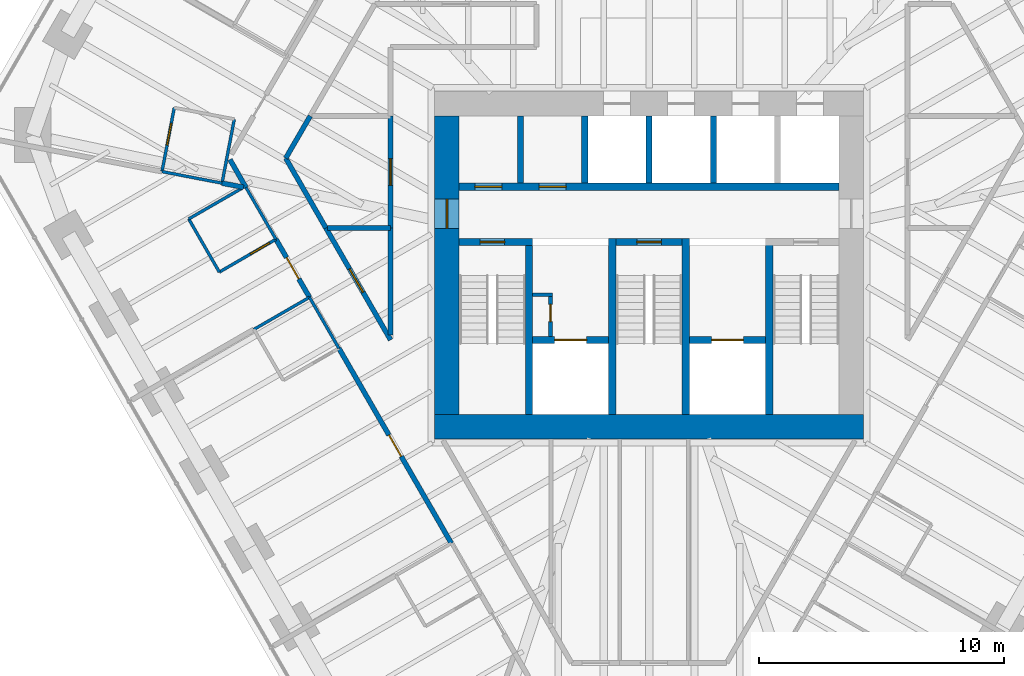
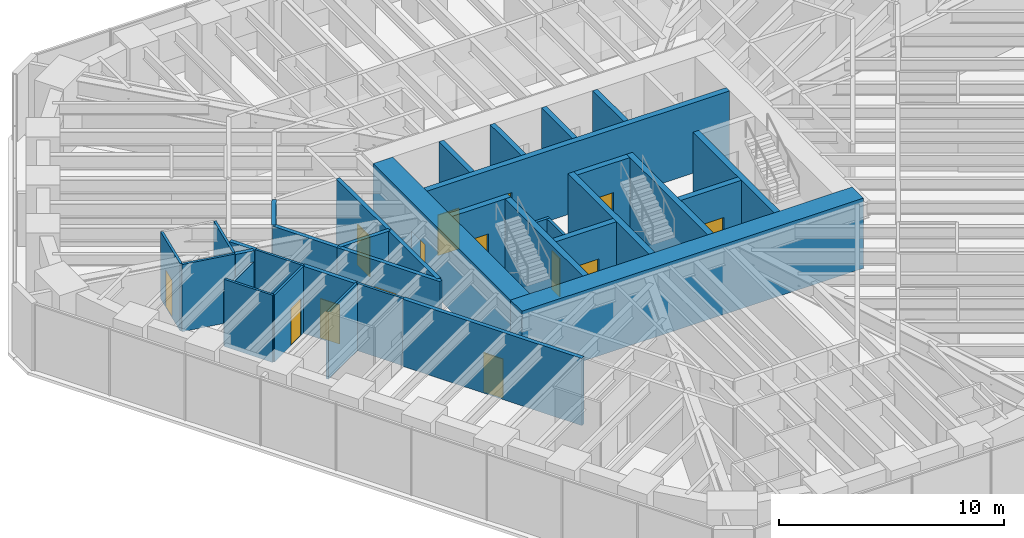
# One storey, part 12 of 17: 36 walls, 14 doors, 14 openings.
"""IFC4 building model written with IfcOpenShell, lengths in metres."""

from ifc_helpers import new_model, si_unit, direction, frame, frame_2d, origin, place, context, subcontext, project, spatial, rectangle, extrude, material, layer, layer_set, type_object, element, fill, save


model = new_model("IFC4")

# Units and contexts
model_context = context("Model", 3, precision=1e-05, world=origin(), true_north=direction((0.0, 1.0)))
body_context = subcontext(model_context, "Body", "Model", "MODEL_VIEW")
ifc_project = project(units=[si_unit("LENGTHUNIT", "METRE"), si_unit("AREAUNIT", "SQUARE_METRE"), si_unit("VOLUMEUNIT", "CUBIC_METRE"), si_unit("PLANEANGLEUNIT", "RADIAN"), si_unit("MASSUNIT", "GRAM", prefix="KILO")], contexts=[model_context])

# Site, building, storey
site_placement = place(None, origin())
site = spatial("IfcSite", under=ifc_project, at=site_placement, CompositionType="ELEMENT")
building_placement = place(site_placement, origin())
building = spatial("IfcBuilding", under=site, at=building_placement, Name="Sandreach Pilgrim Tower", CompositionType="ELEMENT")
storey_placement = place(building_placement, frame((0.0, 0.0, 221.199951171875)))
storey = spatial("IfcBuildingStorey", under=building, at=storey_placement, Name="L55", CompositionType="ELEMENT", Elevation=221.199951171875)

# Wall
ifc_material_1 = material(Name="Moisture-resistant gypsum board on steel studs", Category="steel")
ifc_layer_1 = layer(ifc_material_1, 0.1201171875)
ifc_layer_set_1 = layer_set([ifc_layer_1], Name="Bathroom partition 120")
wall_type_1 = type_object("IfcWallType", Name="Bathroom partition 120", PredefinedType="PARTITIONING", material=ifc_layer_set_1)
wall_1_placement = place(storey_placement, frame((-19.88134765625, 3.82275390625, 0.0), z_axis=(0.0, 0.0, 1.0), x_axis=(0.981896775229, -0.189416796496, 0.0)))
element("IfcWall", 1, at=wall_1_placement, inside=storey, type_object=wall_type_1, Name="Bathroom partition L55-003", PredefinedType="PARTITIONING", context=body_context, shape_type="SweptSolid", body=[
    extrude(rectangle(XDim=2.49658203125, YDim=0.1201171875, at=frame_2d((1.248291015625, 0.0))), origin(), (0.0, 0.0, 1.0), 3.64013671875),
])

# Wall, opening, door
wall_2_placement = place(storey_placement, frame((-19.3798828125, 6.429931640625, 0.0), z_axis=(0.0, 0.0, 1.0), x_axis=(-0.18885765444, -0.982004473696, 0.0)))
wall_2 = element("IfcWall", 2, at=wall_2_placement, inside=storey, type_object=wall_type_1, Name="Bathroom partition L55-004", PredefinedType="PARTITIONING", context=body_context, shape_type="SweptSolid", body=[
    extrude(rectangle(XDim=2.6474609375, YDim=0.1201171875, at=frame_2d((1.32373046875, 0.0))), origin(), (0.0, 0.0, 1.0), 3.64013671875),
])
opening_1_placement = place(wall_2_placement, frame((0.64990234375, 0.0, 0.0)))
opening_1 = element("IfcOpeningElement", 3, at=opening_1_placement, cuts=wall_2, Name="Opening D09-18B", PredefinedType="OPENING", context=body_context, shape_type="SweptSolid", body=[
    extrude(rectangle(XDim=0.89990234375, YDim=2.030029296875, at=frame_2d((0.449951171875, 1.01513671875))), frame((0.0, 0.06005859375, 0.0), z_axis=(0.0, -1.0, 0.0), x_axis=(1.0, 0.0, 0.0)), (0.0, 0.0, 1.0), 0.1201171875),
])
ifc_material_2 = material(Name="Timber door, steel frame", Category="steel")
door_type_1 = type_object("IfcDoorType", Name="Bathroom door", OperationType="SINGLE_SWING_LEFT", PredefinedType="DOOR", material=ifc_material_2)
door_1_placement = place(opening_1_placement, origin())
door_1 = element("IfcDoor", 4, at=door_1_placement, inside=storey, type_object=door_type_1, Name="Door 5518B", OperationType="SINGLE_SWING_LEFT", OverallHeight=2.030029296875, OverallWidth=0.89990234375, PredefinedType="DOOR", context=body_context, shape_type="SweptSolid", body=[
    extrude(rectangle(XDim=0.89990234375, YDim=2.030029296875, at=frame_2d((0.449951171875, 1.01513671875))), frame((0.0, 0.02490234375, 0.0), z_axis=(0.0, -1.0, 0.0), x_axis=(1.0, 0.0, 0.0)), (0.0, 0.0, 1.0), 0.050048828125),
])
fill(opening_1, door_1)

# Wall
wall_3_placement = place(storey_placement, frame((-18.7900390625, 1.889892578125, 0.0), z_axis=(0.0, 0.0, 1.0), x_axis=(0.499159685399, -0.866510016372, 0.0)))
element("IfcWall", 5, at=wall_3_placement, inside=storey, type_object=wall_type_1, Name="Bathroom partition L55-005", PredefinedType="PARTITIONING", context=body_context, shape_type="SweptSolid", body=[
    extrude(rectangle(XDim=2.504150390625, YDim=0.1201171875, at=frame_2d((1.251953125, 0.0))), origin(), (0.0, 0.0, 1.0), 3.64013671875),
])

# Wall, opening, door
wall_4_placement = place(storey_placement, frame((-17.5400390625, -0.280029296875, 0.0), z_axis=(0.0, 0.0, 1.0), x_axis=(0.86498992408, 0.501789229896, 0.0)))
wall_4 = element("IfcWall", 6, at=wall_4_placement, inside=storey, type_object=wall_type_1, Name="Bathroom partition L55-006", PredefinedType="PARTITIONING", context=body_context, shape_type="SweptSolid", body=[
    extrude(rectangle(XDim=2.670654296875, YDim=0.1201171875, at=frame_2d((1.33544921875, 0.0))), origin(), (0.0, 0.0, 1.0), 3.64013671875),
])
opening_2_placement = place(wall_4_placement, frame((1.470458984375, 0.0, 0.0)))
opening_2 = element("IfcOpeningElement", 7, at=opening_2_placement, cuts=wall_4, Name="Opening D09-17B", PredefinedType="OPENING", context=body_context, shape_type="SweptSolid", body=[
    extrude(rectangle(XDim=0.89990234375, YDim=2.030029296875, at=frame_2d((0.449951171875, 1.01513671875))), frame((0.0, 0.06005859375, 0.0), z_axis=(0.0, -1.0, 0.0), x_axis=(1.0, 0.0, 0.0)), (0.0, 0.0, 1.0), 0.1201171875),
])
door_2_placement = place(opening_2_placement, origin())
door_2 = element("IfcDoor", 8, at=door_2_placement, inside=storey, type_object=door_type_1, Name="Door 5517B", OperationType="SINGLE_SWING_RIGHT", OverallHeight=2.030029296875, OverallWidth=0.89990234375, PredefinedType="DOOR", context=body_context, shape_type="SweptSolid", body=[
    extrude(rectangle(XDim=0.89990234375, YDim=2.030029296875, at=frame_2d((0.449951171875, 1.01513671875))), frame((0.0, 0.02490234375, 0.0), z_axis=(0.0, -1.0, 0.0), x_axis=(1.0, 0.0, 0.0)), (0.0, 0.0, 1.0), 0.050048828125),
])
fill(opening_2, door_2)

# Walls
wall_5_placement = place(storey_placement, frame((-17.429931640625, 3.35009765625, 0.0), z_axis=(0.0, 0.0, 1.0), x_axis=(0.188159009227, 0.982138578433, 0.0)))
element("IfcWall", 9, at=wall_5_placement, inside=storey, type_object=wall_type_1, Name="Bathroom partition L55-007", PredefinedType="PARTITIONING", context=body_context, shape_type="SweptSolid", body=[
    extrude(rectangle(XDim=2.6572265625, YDim=0.1201171875, at=frame_2d((1.32861328125, 0.0))), origin(), (0.0, 0.0, 1.0), 3.64013671875),
])
wall_6_placement = place(storey_placement, frame((-16.623779296875, 3.1376953125, 0.0), z_axis=(0.0, 0.0, 1.0), x_axis=(-0.866525185869, -0.499133351175, 0.0)))
element("IfcWall", 10, at=wall_6_placement, inside=storey, type_object=wall_type_1, Name="Bathroom partition L55-013", PredefinedType="PARTITIONING", context=body_context, shape_type="SweptSolid", body=[
    extrude(rectangle(XDim=2.5, YDim=0.1201171875, at=frame_2d((1.25, 0.0))), origin(), (0.0, 0.0, 1.0), 3.0380859375),
])
wall_7_placement = place(storey_placement, frame((-16.449951171875, 3.169921875, 0.0), z_axis=(0.0, 0.0, 1.0), x_axis=(0.500566296323, -0.865698205488, 0.0)))
element("IfcWall", 11, at=wall_7_placement, inside=storey, type_object=wall_type_1, Name="Bathroom partition L55-014", PredefinedType="PARTITIONING", context=body_context, shape_type="SweptSolid", body=[
    extrude(rectangle(XDim=2.437255859375, YDim=0.1201171875, at=frame_2d((1.21875, 0.0))), origin(), (0.0, 0.0, 1.0), 3.64013671875),
])
wall_8_placement = place(storey_placement, frame((-16.1298828125, -2.6201171875, 0.0), z_axis=(0.0, 0.0, 1.0), x_axis=(0.866114241029, 0.499846097802, 0.0)))
element("IfcWall", 12, at=wall_8_placement, inside=storey, type_object=wall_type_1, Name="Bathroom partition L55-016", PredefinedType="PARTITIONING", context=body_context, shape_type="SweptSolid", body=[
    extrude(rectangle(XDim=2.620849609375, YDim=0.1201171875, at=frame_2d((1.310546875, 0.0))), origin(), (0.0, 0.0, 1.0), 3.64013671875),
])
wall_9_placement = place(storey_placement, frame((-13.860107421875, -1.31005859375, 0.0), z_axis=(0.0, 0.0, 1.0), x_axis=(0.499813401482, -0.866133109688, 0.0)))
element("IfcWall", 13, at=wall_9_placement, inside=storey, type_object=wall_type_1, Name="Bathroom partition L55-026", PredefinedType="PARTITIONING", context=body_context, shape_type="SweptSolid", body=[
    extrude(rectangle(XDim=2.4013671875, YDim=0.1201171875, at=frame_2d((1.20068359375, 0.0))), origin(), (0.0, 0.0, 1.0), 3.64013671875),
])
ifc_material_3 = material(Name="Concrete 10000 psi", Category="concrete")
ifc_layer_2 = layer(ifc_material_3, 0.300048828125)
ifc_layer_set_2 = layer_set([ifc_layer_2], Name="Core inner wall 300")
wall_type_2 = type_object("IfcWallType", Name="Core inner wall 300", PredefinedType="SHEAR", material=ifc_layer_set_2)
for number, where, z_axis, x_axis, name in (
    (14, (-4.89990234375, -6.10009765625, 0.0), (0.0, 0.0, 1.0), (0.0, 1.0, 0.0), "Core wall I0 L55"),
    (15, (-1.5, -6.10009765625, 0.0), (0.0, 0.0, 1.0), (0.0, 1.0, 0.0), "Core wall I1 L55"),
    (16, (1.5, -6.10009765625, 0.0), (0.0, 0.0, 1.0), (0.0, 1.0, 0.0), "Core wall I2 L55"),
    (17, (4.89990234375, -6.10009765625, 0.0), (0.0, 0.0, 1.0), (0.0, 1.0, 0.0), "Core wall I3 L55"),
):
    element("IfcWall", number, at=place(storey_placement, frame(where, z_axis=z_axis, x_axis=x_axis)), inside=storey, type_object=wall_type_2, Name=name, PredefinedType="SHEAR", context=body_context, shape_type="SweptSolid", body=[
        extrude(rectangle(XDim=7.2001953125, YDim=0.300048828125, at=frame_2d((3.60009765625, 0.0))), origin(), (0.0, 0.0, 1.0), 3.800048828125),
    ])

# Wall, opening, door
wall_10_placement = place(storey_placement, frame((-7.75, 0.949951171875, 0.0), z_axis=(0.0, 0.0, 1.0), x_axis=(1.0, 0.0, 0.0)))
wall_10 = element("IfcWall", 18, at=wall_10_placement, inside=storey, type_object=wall_type_2, Name="Core wall SN1 L55", PredefinedType="SHEAR", context=body_context, shape_type="SweptSolid", body=[
    extrude(rectangle(XDim=3.0, YDim=0.300048828125, at=frame_2d((1.5, 0.0))), origin(), (0.0, 0.0, 1.0), 3.800048828125),
])
opening_3_placement = place(wall_10_placement, frame((0.85009765625, 0.0, 0.0)))
opening_3 = element("IfcOpeningElement", 19, at=opening_3_placement, cuts=wall_10, Name="Opening D10S-ST1", PredefinedType="OPENING", context=body_context, shape_type="SweptSolid", body=[
    extrude(rectangle(XDim=1.0, YDim=2.199951171875, at=frame_2d((0.5, 1.10009765625))), frame((0.0, 0.14990234375, 0.0), z_axis=(0.0, -1.0, 0.0), x_axis=(1.0, 0.0, 0.0)), (0.0, 0.0, 1.0), 0.300048828125),
])
ifc_material_4 = material(Name="Steel door and frame", Category="steel")
door_type_2 = type_object("IfcDoorType", Name="Stair door", OperationType="SINGLE_SWING_LEFT", PredefinedType="DOOR", material=ifc_material_4)
door_3_placement = place(opening_3_placement, origin())
door_3 = element("IfcDoor", 20, at=door_3_placement, inside=storey, type_object=door_type_2, Name="Stair door ST1 L55", OperationType="SINGLE_SWING_LEFT", OverallHeight=2.199951171875, OverallWidth=1.0, PredefinedType="DOOR", context=body_context, shape_type="SweptSolid", body=[
    extrude(rectangle(XDim=1.0, YDim=2.199951171875, at=frame_2d((0.5, 1.10009765625))), frame((0.0, 0.02490234375, 0.0), z_axis=(0.0, -1.0, 0.0), x_axis=(1.0, 0.0, 0.0)), (0.0, 0.0, 1.0), 0.050048828125),
])
fill(opening_3, door_3)

wall_11_placement = place(storey_placement, frame((-1.35009765625, 0.949951171875, 0.0), z_axis=(0.0, 0.0, 1.0), x_axis=(1.0, 0.0, 0.0)))
wall_11 = element("IfcWall", 21, at=wall_11_placement, inside=storey, type_object=wall_type_2, Name="Core wall SN3 L55", PredefinedType="SHEAR", context=body_context, shape_type="SweptSolid", body=[
    extrude(rectangle(XDim=2.7001953125, YDim=0.300048828125, at=frame_2d((1.35009765625, 0.0))), origin(), (0.0, 0.0, 1.0), 3.800048828125),
])
opening_4_placement = place(wall_11_placement, frame((0.85009765625, 0.0, 0.0)))
opening_4 = element("IfcOpeningElement", 22, at=opening_4_placement, cuts=wall_11, Name="Opening D10S-ST3", PredefinedType="OPENING", context=body_context, shape_type="SweptSolid", body=[
    extrude(rectangle(XDim=1.0, YDim=2.199951171875, at=frame_2d((0.5, 1.10009765625))), frame((0.0, 0.14990234375, 0.0), z_axis=(0.0, -1.0, 0.0), x_axis=(1.0, 0.0, 0.0)), (0.0, 0.0, 1.0), 0.300048828125),
])
door_4_placement = place(opening_4_placement, origin())
door_4 = element("IfcDoor", 23, at=door_4_placement, inside=storey, type_object=door_type_2, Name="Stair door ST3 L55", OperationType="SINGLE_SWING_LEFT", OverallHeight=2.199951171875, OverallWidth=1.0, PredefinedType="DOOR", context=body_context, shape_type="SweptSolid", body=[
    extrude(rectangle(XDim=1.0, YDim=2.199951171875, at=frame_2d((0.5, 1.10009765625))), frame((0.0, 0.02490234375, 0.0), z_axis=(0.0, -1.0, 0.0), x_axis=(1.0, 0.0, 0.0)), (0.0, 0.0, 1.0), 0.050048828125),
])
fill(opening_4, door_4)

wall_12_placement = place(storey_placement, frame((-4.75, -3.050048828125, 0.0), z_axis=(0.0, 0.0, 1.0), x_axis=(1.0, 0.0, 0.0)))
wall_12 = element("IfcWall", 24, at=wall_12_placement, inside=storey, type_object=wall_type_2, Name="Core wall FL1 L55", PredefinedType="SHEAR", context=body_context, shape_type="SweptSolid", body=[
    extrude(rectangle(XDim=3.10009765625, YDim=0.300048828125, at=frame_2d((1.550048828125, 0.0))), origin(), (0.0, 0.0, 1.0), 3.800048828125),
])
opening_5_placement = place(wall_12_placement, frame((0.89990234375, 0.0, 0.0)))
opening_5 = element("IfcOpeningElement", 25, at=opening_5_placement, cuts=wall_12, Name="Opening LD13", PredefinedType="OPENING", context=body_context, shape_type="SweptSolid", body=[
    extrude(rectangle(XDim=1.300048828125, YDim=2.10009765625, at=frame_2d((0.64990234375, 1.050048828125))), frame((0.0, 0.14990234375, 0.0), z_axis=(0.0, -1.0, 0.0), x_axis=(1.0, 0.0, 0.0)), (0.0, 0.0, 1.0), 0.300048828125),
])
ifc_material_5 = material(Name="Steel door and frame", Category="steel")
door_type_3 = type_object("IfcDoorType", Name="Fire service lift landing door", OperationType="DOUBLE_DOOR_SLIDING", PredefinedType="DOOR", material=ifc_material_5)
door_5_placement = place(opening_5_placement, origin())
door_5 = element("IfcDoor", 26, at=door_5_placement, inside=storey, type_object=door_type_3, Name="Lift landing door FS1 L55", OperationType="DOUBLE_DOOR_SLIDING", OverallHeight=2.10009765625, OverallWidth=1.300048828125, PredefinedType="DOOR", context=body_context, shape_type="SweptSolid", body=[
    extrude(rectangle(XDim=1.300048828125, YDim=2.10009765625, at=frame_2d((0.64990234375, 1.050048828125))), frame((0.0, 0.02490234375, 0.0), z_axis=(0.0, -1.0, 0.0), x_axis=(1.0, 0.0, 0.0)), (0.0, 0.0, 1.0), 0.050048828125),
])
fill(opening_5, door_5)

wall_13_placement = place(storey_placement, frame((1.64990234375, -3.050048828125, 0.0), z_axis=(0.0, 0.0, 1.0), x_axis=(1.0, 0.0, 0.0)))
wall_13 = element("IfcWall", 27, at=wall_13_placement, inside=storey, type_object=wall_type_2, Name="Core wall FL2 L55", PredefinedType="SHEAR", context=body_context, shape_type="SweptSolid", body=[
    extrude(rectangle(XDim=3.10009765625, YDim=0.300048828125, at=frame_2d((1.550048828125, 0.0))), origin(), (0.0, 0.0, 1.0), 3.800048828125),
])
opening_6_placement = place(wall_13_placement, frame((0.89990234375, 0.0, 0.0)))
opening_6 = element("IfcOpeningElement", 28, at=opening_6_placement, cuts=wall_13, Name="Opening LD13", PredefinedType="OPENING", context=body_context, shape_type="SweptSolid", body=[
    extrude(rectangle(XDim=1.300048828125, YDim=2.10009765625, at=frame_2d((0.64990234375, 1.050048828125))), frame((0.0, 0.14990234375, 0.0), z_axis=(0.0, -1.0, 0.0), x_axis=(1.0, 0.0, 0.0)), (0.0, 0.0, 1.0), 0.300048828125),
])
door_6_placement = place(opening_6_placement, origin())
door_6 = element("IfcDoor", 29, at=door_6_placement, inside=storey, type_object=door_type_3, Name="Lift landing door FS2 L55", OperationType="DOUBLE_DOOR_SLIDING", OverallHeight=2.10009765625, OverallWidth=1.300048828125, PredefinedType="DOOR", context=body_context, shape_type="SweptSolid", body=[
    extrude(rectangle(XDim=1.300048828125, YDim=2.10009765625, at=frame_2d((0.64990234375, 1.050048828125))), frame((0.0, 0.02490234375, 0.0), z_axis=(0.0, -1.0, 0.0), x_axis=(1.0, 0.0, 0.0)), (0.0, 0.0, 1.0), 0.050048828125),
])
fill(opening_6, door_6)

# Wall, openings, doors
wall_14_placement = place(storey_placement, frame((-7.75, 3.199951171875, 0.0), z_axis=(0.0, 0.0, 1.0), x_axis=(1.0, 0.0, 0.0)))
wall_14 = element("IfcWall", 30, at=wall_14_placement, inside=storey, type_object=wall_type_2, Name="Core wall PN L55", PredefinedType="SHEAR", context=body_context, shape_type="SweptSolid", body=[
    extrude(rectangle(XDim=15.5, YDim=0.300048828125, at=frame_2d((7.75, 0.0))), origin(), (0.0, 0.0, 1.0), 3.800048828125),
])
opening_7_placement = place(wall_14_placement, frame((0.637451171875, 0.0, 0.0)))
opening_7 = element("IfcOpeningElement", 31, at=opening_7_placement, cuts=wall_14, Name="Opening D11L", PredefinedType="OPENING", context=body_context, shape_type="SweptSolid", body=[
    extrude(rectangle(XDim=1.10009765625, YDim=2.199951171875, at=frame_2d((0.550048828125, 1.10009765625))), frame((0.0, 0.14990234375, 0.0), z_axis=(0.0, -1.0, 0.0), x_axis=(1.0, 0.0, 0.0)), (0.0, 0.0, 1.0), 0.300048828125),
])
opening_8_placement = place(wall_14_placement, frame((3.262451171875, 0.0, 0.0)))
opening_8 = element("IfcOpeningElement", 32, at=opening_8_placement, cuts=wall_14, Name="Opening D11L", PredefinedType="OPENING", context=body_context, shape_type="SweptSolid", body=[
    extrude(rectangle(XDim=1.10009765625, YDim=2.199951171875, at=frame_2d((0.550048828125, 1.10009765625))), frame((0.0, 0.14990234375, 0.0), z_axis=(0.0, -1.0, 0.0), x_axis=(1.0, 0.0, 0.0)), (0.0, 0.0, 1.0), 0.300048828125),
])
ifc_material_6 = material(Name="Steel door and frame, smoke seals", Category="steel")
door_type_4 = type_object("IfcDoorType", Name="Core room door", OperationType="SINGLE_SWING_LEFT", PredefinedType="DOOR", material=ifc_material_6)
door_7_placement = place(opening_7_placement, origin())
door_7 = element("IfcDoor", 33, at=door_7_placement, inside=storey, type_object=door_type_4, Name="Door guest pantry 55K1", OperationType="SINGLE_SWING_LEFT", OverallHeight=2.199951171875, OverallWidth=1.10009765625, PredefinedType="DOOR", context=body_context, shape_type="SweptSolid", body=[
    extrude(rectangle(XDim=1.10009765625, YDim=2.199951171875, at=frame_2d((0.550048828125, 1.10009765625))), frame((0.0, 0.02490234375, 0.0), z_axis=(0.0, -1.0, 0.0), x_axis=(1.0, 0.0, 0.0)), (0.0, 0.0, 1.0), 0.050048828125),
])
fill(opening_7, door_7)
door_8_placement = place(opening_8_placement, origin())
door_8 = element("IfcDoor", 34, at=door_8_placement, inside=storey, type_object=door_type_4, Name="Door it room 55K2", OperationType="SINGLE_SWING_LEFT", OverallHeight=2.199951171875, OverallWidth=1.10009765625, PredefinedType="DOOR", context=body_context, shape_type="SweptSolid", body=[
    extrude(rectangle(XDim=1.10009765625, YDim=2.199951171875, at=frame_2d((0.550048828125, 1.10009765625))), frame((0.0, 0.02490234375, 0.0), z_axis=(0.0, -1.0, 0.0), x_axis=(1.0, 0.0, 0.0)), (0.0, 0.0, 1.0), 0.050048828125),
])
fill(opening_8, door_8)

# Wall
ifc_material_7 = material(Name="Concrete 10000 psi", Category="concrete")
ifc_layer_3 = layer(ifc_material_7, 1.0)
ifc_layer_set_3 = layer_set([ifc_layer_3], Name="Core wall 1000")
wall_type_3 = type_object("IfcWallType", Name="Core wall 1000", PredefinedType="SHEAR", material=ifc_layer_set_3)
wall_15_placement = place(storey_placement, frame((-8.75, -6.60009765625, 0.0), z_axis=(0.0, 0.0, 1.0), x_axis=(1.0, 0.0, 0.0)))
element("IfcWall", 35, at=wall_15_placement, inside=storey, type_object=wall_type_3, Name="Core wall S L55", PredefinedType="SHEAR", context=body_context, shape_type="SweptSolid", body=[
    extrude(rectangle(XDim=17.5, YDim=1.0, at=frame_2d((8.75, 0.0))), origin(), (0.0, 0.0, 1.0), 3.800048828125),
])

# Wall, opening, door
wall_16_placement = place(storey_placement, frame((-8.25, -6.10009765625, 0.0), z_axis=(0.0, 0.0, 1.0), x_axis=(0.0, 1.0, 0.0)))
wall_16 = element("IfcWall", 36, at=wall_16_placement, inside=storey, type_object=wall_type_3, Name="Core wall W L55", PredefinedType="SHEAR", context=body_context, shape_type="SweptSolid", body=[
    extrude(rectangle(XDim=12.2001953125, YDim=1.0, at=frame_2d((6.10009765625, 0.0))), origin(), (0.0, 0.0, 1.0), 3.800048828125),
])
opening_9_placement = place(wall_16_placement, frame((7.60009765625, 0.0, 0.0)))
opening_9 = element("IfcOpeningElement", 37, at=opening_9_placement, cuts=wall_16, Name="Opening D12F-W", PredefinedType="OPENING", context=body_context, shape_type="SweptSolid", body=[
    extrude(rectangle(XDim=1.199951171875, YDim=2.199951171875, at=frame_2d((0.60009765625, 1.10009765625))), frame((0.0, 0.5, 0.0), z_axis=(0.0, -1.0, 0.0), x_axis=(1.0, 0.0, 0.0)), (0.0, 0.0, 1.0), 1.0),
])
ifc_material_8 = material(Name="Steel door and frame", Category="steel")
door_type_5 = type_object("IfcDoorType", Name="Fire lobby door", OperationType="SINGLE_SWING_LEFT", PredefinedType="DOOR", material=ifc_material_8)
door_9_placement = place(opening_9_placement, origin())
door_9 = element("IfcDoor", 38, at=door_9_placement, inside=storey, type_object=door_type_5, Name="Fire service lobby door W L55", OperationType="SINGLE_SWING_RIGHT", OverallHeight=2.199951171875, OverallWidth=1.199951171875, PredefinedType="DOOR", context=body_context, shape_type="SweptSolid", body=[
    extrude(rectangle(XDim=1.199951171875, YDim=2.199951171875, at=frame_2d((0.60009765625, 1.10009765625))), frame((0.0, 0.02490234375, 0.0), z_axis=(0.0, -1.0, 0.0), x_axis=(1.0, 0.0, 0.0)), (0.0, 0.0, 1.0), 0.050048828125),
])
fill(opening_9, door_9)

# Wall
ifc_material_9 = material(Name="Gypsum board on steel studs, two layers each side", Category="steel")
ifc_layer_4 = layer(ifc_material_9, 0.199951171875)
ifc_layer_set_4 = layer_set([ifc_layer_4], Name="Corridor wall 200")
wall_type_4 = type_object("IfcWallType", Name="Corridor wall 200", PredefinedType="PARTITIONING", material=ifc_layer_set_4)
wall_17_placement = place(storey_placement, frame((-17.107666015625, 4.313720703125, 0.0), z_axis=(0.0, 0.0, 1.0), x_axis=(0.498488506644, -0.866896307954, 0.0)))
element("IfcWall", 39, at=wall_17_placement, inside=storey, type_object=wall_type_4, Name="Corridor wall L55-009", PredefinedType="PARTITIONING", context=body_context, shape_type="SweptSolid", body=[
    extrude(rectangle(XDim=1.3193359375, YDim=0.199951171875, at=frame_2d((0.65966796875, 0.0))), origin(), (0.0, 0.0, 1.0), 3.64013671875),
])

# Wall, opening, door
wall_18_placement = place(storey_placement, frame((-15.22998046875, 1.06005859375, 0.0), z_axis=(0.0, 0.0, 1.0), x_axis=(0.500406860043, -0.865790375565, 0.0)))
wall_18 = element("IfcWall", 40, at=wall_18_placement, inside=storey, type_object=wall_type_4, Name="Corridor wall L55-019", PredefinedType="PARTITIONING", context=body_context, shape_type="SweptSolid", body=[
    extrude(rectangle(XDim=2.737548828125, YDim=0.199951171875, at=frame_2d((1.36865234375, 0.0))), origin(), (0.0, 0.0, 1.0), 3.64013671875),
])
opening_10_placement = place(wall_18_placement, frame((0.86865234375, 0.0, 0.0)))
opening_10 = element("IfcOpeningElement", 41, at=opening_10_placement, cuts=wall_18, Name="Opening D10-17", PredefinedType="OPENING", context=body_context, shape_type="SweptSolid", body=[
    extrude(rectangle(XDim=1.0, YDim=2.1298828125, at=frame_2d((0.5, 1.06494140625))), frame((0.0, 0.10009765625, 0.0), z_axis=(0.0, -1.0, 0.0), x_axis=(1.0, 0.0, 0.0)), (0.0, 0.0, 1.0), 0.199951171875),
])
ifc_material_10 = material(Name="Steel door and frame", Category="steel")
door_type_6 = type_object("IfcDoorType", Name="Guest room entry door", OperationType="SINGLE_SWING_LEFT", PredefinedType="DOOR", material=ifc_material_10)
door_10_placement = place(opening_10_placement, origin())
door_10 = element("IfcDoor", 42, at=door_10_placement, inside=storey, type_object=door_type_6, Name="Door 5517", OperationType="SINGLE_SWING_LEFT", OverallHeight=2.1298828125, OverallWidth=1.0, PredefinedType="DOOR", context=body_context, shape_type="SweptSolid", body=[
    extrude(rectangle(XDim=1.0, YDim=2.1298828125, at=frame_2d((0.5, 1.06494140625))), frame((0.0, 0.02490234375, 0.0), z_axis=(0.0, -1.0, 0.0), x_axis=(1.0, 0.0, 0.0)), (0.0, 0.0, 1.0), 0.050048828125),
])
fill(opening_10, door_10)

# Walls
wall_19_placement = place(storey_placement, frame((-14.830078125, 4.3701171875, 0.0), z_axis=(0.0, 0.0, 1.0), x_axis=(0.502626855825, 0.864503466623, 0.0)))
element("IfcWall", 43, at=wall_19_placement, inside=storey, type_object=wall_type_4, Name="Corridor wall L55-022", PredefinedType="PARTITIONING", context=body_context, shape_type="SweptSolid", body=[
    extrude(rectangle(XDim=1.989501953125, YDim=0.199951171875, at=frame_2d((0.99462890625, 0.0))), origin(), (0.0, 0.0, 1.0), 3.64013671875),
])
wall_20_placement = place(storey_placement, frame((-13.18994140625, 1.52001953125, 0.0), z_axis=(0.0, 0.0, 1.0), x_axis=(-0.498775186059, 0.866731396554, 0.0)))
element("IfcWall", 44, at=wall_20_placement, inside=storey, type_object=wall_type_4, Name="Corridor wall L55-030", PredefinedType="PARTITIONING", context=body_context, shape_type="SweptSolid", body=[
    extrude(rectangle(XDim=3.288330078125, YDim=0.199951171875, at=frame_2d((1.64404296875, 0.0))), origin(), (0.0, 0.0, 1.0), 3.64013671875),
])

# Wall, opening, door
wall_21_placement = place(storey_placement, frame((-12.659912109375, -3.389892578125, 0.0), z_axis=(0.0, 0.0, 1.0), x_axis=(0.499511590934, -0.866307203319, 0.0)))
wall_21 = element("IfcWall", 45, at=wall_21_placement, inside=storey, type_object=wall_type_4, Name="Corridor wall L55-031", PredefinedType="PARTITIONING", context=body_context, shape_type="SweptSolid", body=[
    extrude(rectangle(XDim=9.188720703125, YDim=0.199951171875, at=frame_2d((4.59423828125, 0.0))), origin(), (0.0, 0.0, 1.0), 3.64013671875),
])
opening_11_placement = place(wall_21_placement, frame((4.09423828125, 0.0, 0.0)))
opening_11 = element("IfcOpeningElement", 46, at=opening_11_placement, cuts=wall_21, Name="Opening D10-16", PredefinedType="OPENING", context=body_context, shape_type="SweptSolid", body=[
    extrude(rectangle(XDim=1.0, YDim=2.1298828125, at=frame_2d((0.5, 1.06494140625))), frame((0.0, 0.10009765625, 0.0), z_axis=(0.0, -1.0, 0.0), x_axis=(1.0, 0.0, 0.0)), (0.0, 0.0, 1.0), 0.199951171875),
])
door_11_placement = place(opening_11_placement, origin())
door_11 = element("IfcDoor", 47, at=door_11_placement, inside=storey, type_object=door_type_6, Name="Door 5516", OperationType="SINGLE_SWING_LEFT", OverallHeight=2.1298828125, OverallWidth=1.0, PredefinedType="DOOR", context=body_context, shape_type="SweptSolid", body=[
    extrude(rectangle(XDim=1.0, YDim=2.1298828125, at=frame_2d((0.5, 1.06494140625))), frame((0.0, 0.02490234375, 0.0), z_axis=(0.0, -1.0, 0.0), x_axis=(1.0, 0.0, 0.0)), (0.0, 0.0, 1.0), 0.050048828125),
])
fill(opening_11, door_11)

wall_22_placement = place(storey_placement, frame((-10.550048828125, -3.050048828125, 0.0), z_axis=(0.0, 0.0, 1.0), x_axis=(-0.500193590286, 0.865913605527, 0.0)))
wall_22 = element("IfcWall", 48, at=wall_22_placement, inside=storey, type_object=wall_type_4, Name="Corridor wall L55-036", PredefinedType="PARTITIONING", context=body_context, shape_type="SweptSolid", body=[
    extrude(rectangle(XDim=5.27783203125, YDim=0.199951171875, at=frame_2d((2.638916015625, 0.0))), origin(), (0.0, 0.0, 1.0), 3.64013671875),
])
opening_12_placement = place(wall_22_placement, frame((2.25, 0.0, 0.0)))
opening_12 = element("IfcOpeningElement", 49, at=opening_12_placement, cuts=wall_22, Name="Opening D11H-M02", PredefinedType="OPENING", context=body_context, shape_type="SweptSolid", body=[
    extrude(rectangle(XDim=1.10009765625, YDim=2.199951171875, at=frame_2d((0.550048828125, 1.10009765625))), frame((0.0, 0.10009765625, 0.0), z_axis=(0.0, -1.0, 0.0), x_axis=(1.0, 0.0, 0.0)), (0.0, 0.0, 1.0), 0.199951171875),
])
ifc_material_11 = material(Name="Steel door and frame", Category="steel")
door_type_7 = type_object("IfcDoorType", Name="Back of house door", OperationType="SINGLE_SWING_LEFT", PredefinedType="DOOR", material=ifc_material_11)
door_12_placement = place(opening_12_placement, origin())
door_12 = element("IfcDoor", 50, at=door_12_placement, inside=storey, type_object=door_type_7, Name="Door 55M02", OperationType="SINGLE_SWING_RIGHT", OverallHeight=2.199951171875, OverallWidth=1.10009765625, PredefinedType="DOOR", context=body_context, shape_type="SweptSolid", body=[
    extrude(rectangle(XDim=1.10009765625, YDim=2.199951171875, at=frame_2d((0.550048828125, 1.10009765625))), frame((0.0, 0.02490234375, 0.0), z_axis=(0.0, -1.0, 0.0), x_axis=(1.0, 0.0, 0.0)), (0.0, 0.0, 1.0), 0.050048828125),
])
fill(opening_12, door_12)

# Wall
wall_23_placement = place(storey_placement, frame((-10.550048828125, 1.52001953125, 0.0), z_axis=(0.0, 0.0, 1.0), x_axis=(0.0, -1.0, 0.0)))
element("IfcWall", 51, at=wall_23_placement, inside=storey, type_object=wall_type_4, Name="Corridor wall L55-037", PredefinedType="PARTITIONING", context=body_context, shape_type="SweptSolid", body=[
    extrude(rectangle(XDim=4.375, YDim=0.199951171875, at=frame_2d((2.1875, 0.0))), origin(), (0.0, 0.0, 1.0), 3.64013671875),
])

# Wall, opening, door
wall_24_placement = place(storey_placement, frame((-10.550048828125, 6.090087890625, 0.0), z_axis=(0.0, 0.0, 1.0), x_axis=(0.0, -1.0, 0.0)))
wall_24 = element("IfcWall", 52, at=wall_24_placement, inside=storey, type_object=wall_type_4, Name="Corridor wall L55-038", PredefinedType="PARTITIONING", context=body_context, shape_type="SweptSolid", body=[
    extrude(rectangle(XDim=4.570068359375, YDim=0.199951171875, at=frame_2d((2.28515625, 0.0))), origin(), (0.0, 0.0, 1.0), 3.64013671875),
])
opening_13_placement = place(wall_24_placement, frame((1.735107421875, 0.0, 0.0)))
opening_13 = element("IfcOpeningElement", 53, at=opening_13_placement, cuts=wall_24, Name="Opening D11H-M01", PredefinedType="OPENING", context=body_context, shape_type="SweptSolid", body=[
    extrude(rectangle(XDim=1.10009765625, YDim=2.199951171875, at=frame_2d((0.550048828125, 1.10009765625))), frame((0.0, 0.10009765625, 0.0), z_axis=(0.0, -1.0, 0.0), x_axis=(1.0, 0.0, 0.0)), (0.0, 0.0, 1.0), 0.199951171875),
])
door_13_placement = place(opening_13_placement, origin())
door_13 = element("IfcDoor", 54, at=door_13_placement, inside=storey, type_object=door_type_7, Name="Door 55M01", OperationType="SINGLE_SWING_LEFT", OverallHeight=2.199951171875, OverallWidth=1.10009765625, PredefinedType="DOOR", context=body_context, shape_type="SweptSolid", body=[
    extrude(rectangle(XDim=1.10009765625, YDim=2.199951171875, at=frame_2d((0.550048828125, 1.10009765625))), frame((0.0, 0.02490234375, 0.0), z_axis=(0.0, -1.0, 0.0), x_axis=(1.0, 0.0, 0.0)), (0.0, 0.0, 1.0), 0.050048828125),
])
fill(opening_13, door_13)

# Walls
ifc_material_12 = material(Name="Double steel stud acoustic wall, gypsum board", Category="steel")
ifc_layer_5 = layer(ifc_material_12, 0.199951171875)
ifc_layer_set_5 = layer_set([ifc_layer_5], Name="Party wall 200")
wall_type_5 = type_object("IfcWallType", Name="Party wall 200", PredefinedType="PARTITIONING", material=ifc_layer_set_5)
wall_25_placement = place(storey_placement, frame((-17.429931640625, 3.349853515625, 0.0), z_axis=(0.0, 0.0, 1.0), x_axis=(0.981858463983, -0.189615286052, 0.0)))
element("IfcWall", 55, at=wall_25_placement, inside=storey, type_object=wall_type_5, Name="Party wall L55-008", PredefinedType="PARTITIONING", context=body_context, shape_type="SweptSolid", body=[
    extrude(rectangle(XDim=0.896240234375, YDim=0.199951171875, at=frame_2d((0.4482421875, 0.0))), origin(), (0.0, 0.0, 1.0), 3.64013671875),
])
wall_26_placement = place(storey_placement, frame((-10.56005859375, 1.52001953125, 0.0), z_axis=(0.0, 0.0, 1.0), x_axis=(-1.0, 0.0, 0.0)))
element("IfcWall", 56, at=wall_26_placement, inside=storey, type_object=wall_type_5, Name="Party wall L55-035", PredefinedType="PARTITIONING", context=body_context, shape_type="SweptSolid", body=[
    extrude(rectangle(XDim=2.56005859375, YDim=0.199951171875, at=frame_2d((1.280029296875, 0.0))), origin(), (0.0, 0.0, 1.0), 3.64013671875),
])

# Wall, opening, door
ifc_material_13 = material(Name="Gypsum shaft wall on steel studs, shaft liner board", Category="steel")
ifc_layer_6 = layer(ifc_material_13, 0.14990234375)
ifc_layer_set_6 = layer_set([ifc_layer_6], Name="Riser shaft wall 150")
wall_type_6 = type_object("IfcWallType", Name="Riser shaft wall 150", PredefinedType="PARTITIONING", material=ifc_layer_set_6)
wall_27_placement = place(storey_placement, frame((-4.02490234375, -2.89990234375, 0.0), z_axis=(0.0, 0.0, 1.0), x_axis=(0.0, 1.0, 0.0)))
wall_27 = element("IfcWall", 57, at=wall_27_placement, inside=storey, type_object=wall_type_6, Name="Riser partition L55 side", PredefinedType="PARTITIONING", context=body_context, shape_type="SweptSolid", body=[
    extrude(rectangle(XDim=1.77490234375, YDim=0.14990234375, at=frame_2d((0.887451171875, 0.0))), origin(), (0.0, 0.0, 1.0), 3.64013671875),
])
opening_14_placement = place(wall_27_placement, frame((0.60009765625, 0.0, 0.0)))
opening_14 = element("IfcOpeningElement", 58, at=opening_14_placement, cuts=wall_27, Name="Opening D07R", PredefinedType="OPENING", context=body_context, shape_type="SweptSolid", body=[
    extrude(rectangle(XDim=0.699951171875, YDim=2.10009765625, at=frame_2d((0.35009765625, 1.050048828125))), frame((0.0, 0.074951171875, 0.0), z_axis=(0.0, -1.0, 0.0), x_axis=(1.0, 0.0, 0.0)), (0.0, 0.0, 1.0), 0.14990234375),
])
ifc_material_14 = material(Name="Steel door and frame, smoke seals", Category="steel")
door_type_8 = type_object("IfcDoorType", Name="Riser access door", OperationType="SINGLE_SWING_RIGHT", PredefinedType="DOOR", material=ifc_material_14)
door_14_placement = place(opening_14_placement, origin())
door_14 = element("IfcDoor", 59, at=door_14_placement, inside=storey, type_object=door_type_8, Name="Door riser 55ER", OperationType="SINGLE_SWING_RIGHT", OverallHeight=2.10009765625, OverallWidth=0.699951171875, PredefinedType="DOOR", context=body_context, shape_type="SweptSolid", body=[
    extrude(rectangle(XDim=0.699951171875, YDim=2.10009765625, at=frame_2d((0.35009765625, 1.050048828125))), frame((0.0, 0.02490234375, 0.0), z_axis=(0.0, -1.0, 0.0), x_axis=(1.0, 0.0, 0.0)), (0.0, 0.0, 1.0), 0.050048828125),
])
fill(opening_14, door_14)

# Walls
wall_28_placement = place(storey_placement, frame((-4.75, -1.199951171875, 0.0), z_axis=(0.0, 0.0, 1.0), x_axis=(1.0, 0.0, 0.0)))
element("IfcWall", 60, at=wall_28_placement, inside=storey, type_object=wall_type_6, Name="Riser partition L55 front", PredefinedType="PARTITIONING", context=body_context, shape_type="SweptSolid", body=[
    extrude(rectangle(XDim=0.800048828125, YDim=0.14990234375, at=frame_2d((0.39990234375, 0.0))), origin(), (0.0, 0.0, 1.0), 3.64013671875),
])
ifc_material_15 = material(Name="Gypsum shaft wall on steel studs, two layers of shaft liner board", Category="steel")
ifc_layer_7 = layer(ifc_material_15, 0.25)
ifc_layer_set_7 = layer_set([ifc_layer_7], Name="Shaft partition 250")
wall_type_7 = type_object("IfcWallType", Name="Shaft partition 250", PredefinedType="PARTITIONING", material=ifc_layer_set_7)
for number, where, z_axis, x_axis, name in (
    (61, (-5.25, 3.35009765625, 0.0), (0.0, 0.0, 1.0), (0.0, 1.0, 0.0), "Shaft partition NS0 L55"),
    (62, (-2.625, 3.35009765625, 0.0), (0.0, 0.0, 1.0), (0.0, 1.0, 0.0), "Shaft partition NS1 L55"),
    (63, (0.0, 3.35009765625, 0.0), (0.0, 0.0, 1.0), (0.0, 1.0, 0.0), "Shaft partition NS2 L55"),
    (64, (2.625, 3.35009765625, 0.0), (0.0, 0.0, 1.0), (0.0, 1.0, 0.0), "Shaft partition NS3 L55"),
):
    element("IfcWall", number, at=place(storey_placement, frame(where, z_axis=z_axis, x_axis=x_axis)), inside=storey, type_object=wall_type_7, Name=name, PredefinedType="PARTITIONING", context=body_context, shape_type="SweptSolid", body=[
        extrude(rectangle(XDim=2.75, YDim=0.25, at=frame_2d((1.375, 0.0))), origin(), (0.0, 0.0, 1.0), 3.800048828125),
    ])

save(model, "model.ifc")
